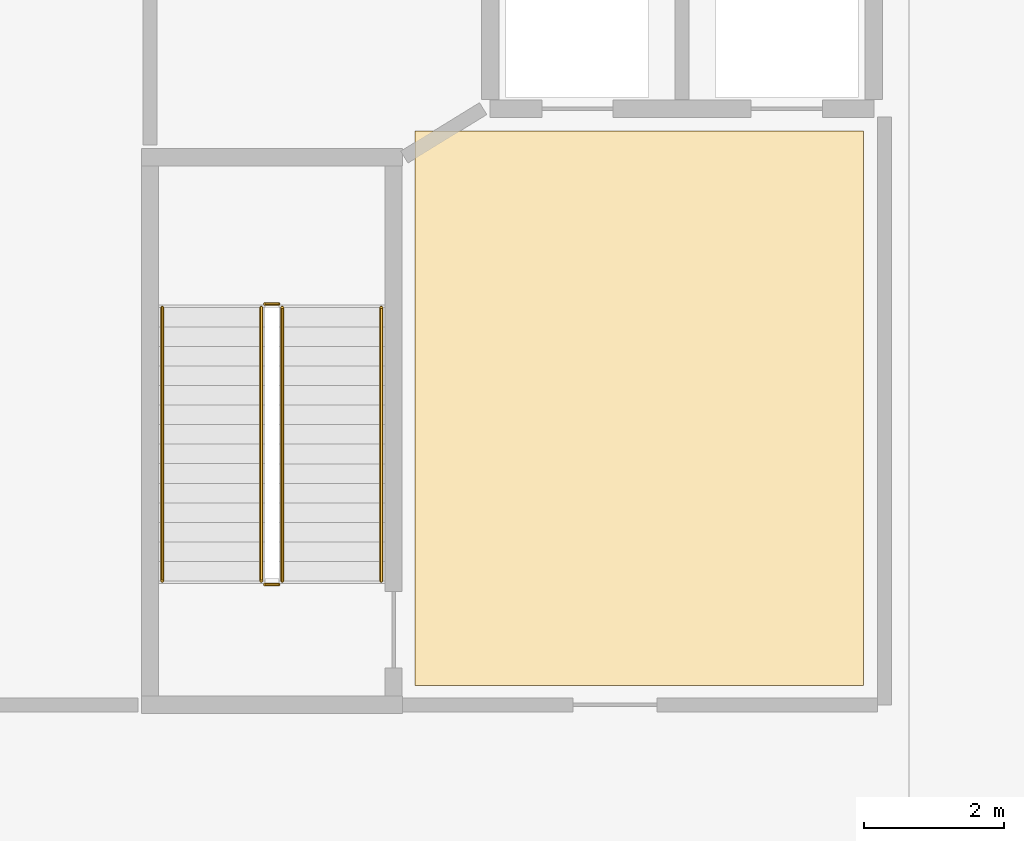
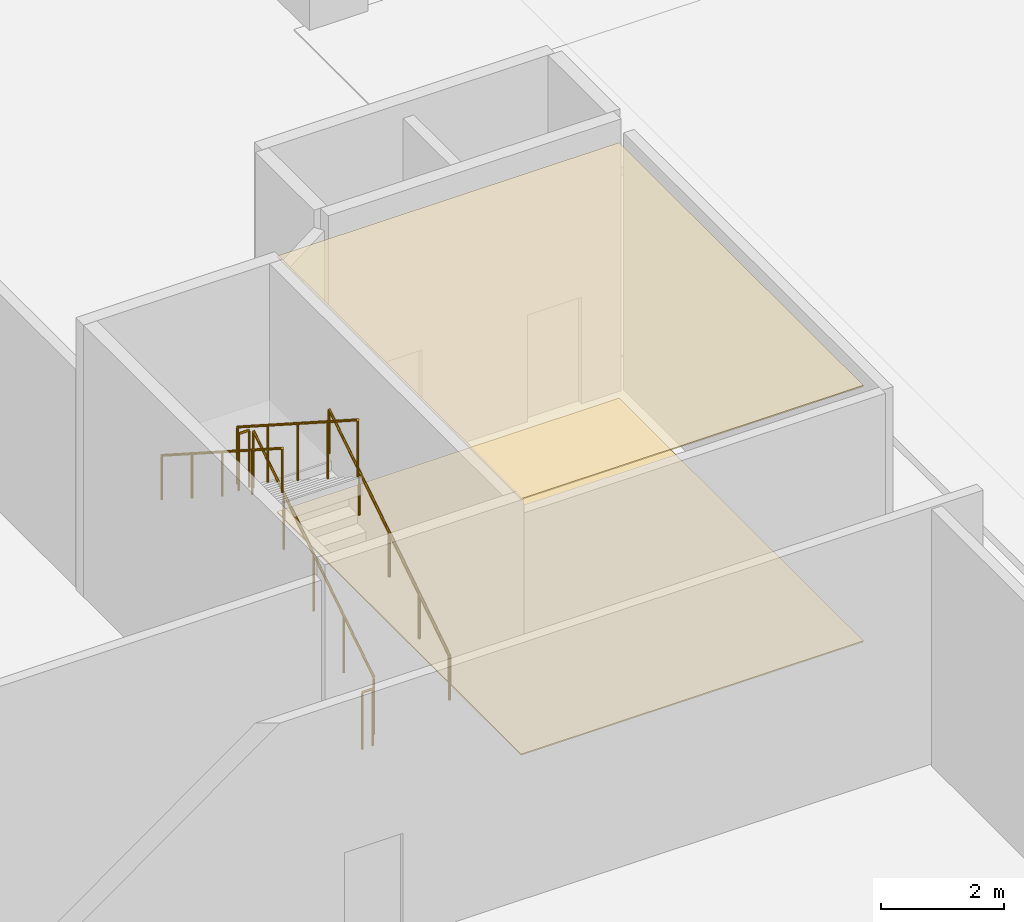
# One storey, part 38 of 46: 6 railings, 2 coverings.
"""IFC4 building model written with IfcOpenShell, lengths in metres."""

import ifcopenshell
import ifcopenshell.guid

model = None  # the IFC model being written
_history = None  # IfcOwnerHistory: only IFC2X3 demands one
_inside = {}  # id of a spatial element -> (the spatial element, [elements in it])
_under = {}  # id of a project, library or spatial element -> (it, [spatial elements below it])
_declared = {}  # id of a project -> (the project, [libraries it declares])
_typed = {}  # id of a type object -> (the type object, [elements of that type])
_made_of = {}  # id of a material, layer set ... -> (it, [elements and type objects made of it])


def new_model(schema):
    """Start an empty IFC model of exactly this schema.

    Asked for "IFC4X3", IfcOpenShell would pick the latest addendum, in which some entities
    have other attributes; the version numbers below select the first issue.
    IFC2X3 requires an IfcOwnerHistory on every rooted entity: one is made here for all.
    """
    global model, _history
    if schema == "IFC4X3":
        model = ifcopenshell.file(schema_version=(4, 3, 0, 0))
    else:
        model = ifcopenshell.file(schema=schema)
    _inside.clear()
    _under.clear()
    _declared.clear()
    _typed.clear()
    _made_of.clear()
    _history = None
    if model.schema == "IFC2X3":
        org = make("IfcOrganization", Name="unknown")
        user = make(
            "IfcPersonAndOrganization",
            ThePerson=make("IfcPerson", FamilyName="unknown"),
            TheOrganization=org,
        )
        app = make(
            "IfcApplication",
            ApplicationDeveloper=org,
            Version="unknown",
            ApplicationFullName="unknown",
            ApplicationIdentifier="unknown",
        )
        _history = make(
            "IfcOwnerHistory",
            OwningUser=user,
            OwningApplication=app,
            ChangeAction="ADDED",
            CreationDate=0,
        )
    return model


def make(cls, **values):
    """One entity of the class cls with the attributes given. An attribute that is None is left unset."""
    return model.create_entity(
        cls, **{name: value for name, value in values.items() if value is not None}
    )


def rooted(cls, **values):
    """An entity with a GlobalId (a new one), such as an element, a storey or a relation."""
    return make(cls, GlobalId=ifcopenshell.guid.new(), OwnerHistory=_history, **values)


def si_unit(unit_type, name, prefix=None):
    """IfcSIUnit, for example si_unit("LENGTHUNIT", "METRE", prefix="MILLI")."""
    return make("IfcSIUnit", UnitType=unit_type, Prefix=prefix, Name=name)


def assignment(units):
    """IfcUnitAssignment: the units of a project."""
    return None if units is None else make("IfcUnitAssignment", Units=units)


def point(xyz):
    """IfcCartesianPoint."""
    return None if xyz is None else make("IfcCartesianPoint", Coordinates=xyz)


def direction(xyz):
    """IfcDirection."""
    return None if xyz is None else make("IfcDirection", DirectionRatios=xyz)


def frame(location, z_axis=None, x_axis=None):
    """IfcAxis2Placement3D, a coordinate frame: its origin and axes. An axis left out is left unset."""
    return make(
        "IfcAxis2Placement3D",
        Location=point(location),
        Axis=direction(z_axis),
        RefDirection=direction(x_axis),
    )


def frame_2d(location, x_axis=None):
    """IfcAxis2Placement2D, a coordinate frame in the plane: its origin and x axis."""
    return make(
        "IfcAxis2Placement2D", Location=point(location), RefDirection=direction(x_axis)
    )


def origin():
    """The frame at (0, 0, 0) with its axes left unset."""
    return frame((0.0, 0.0, 0.0))


def origin_2d():
    """The frame at (0, 0) in the plane with its x axis left unset."""
    return frame_2d((0.0, 0.0))


def place(relative_to, where):
    """IfcLocalPlacement: puts the frame where relative to a parent placement (None: the world)."""
    return make(
        "IfcLocalPlacement", PlacementRelTo=relative_to, RelativePlacement=where
    )


def context(
    kind, dimensions, precision=None, world=None, true_north=None, identifier=None
):
    """IfcGeometricRepresentationContext, for example the 3D "Model" context."""
    return make(
        "IfcGeometricRepresentationContext",
        ContextIdentifier=identifier,
        ContextType=kind,
        CoordinateSpaceDimension=dimensions,
        Precision=precision,
        WorldCoordinateSystem=world,
        TrueNorth=true_north,
    )


def subcontext(parent, identifier, kind, view, scale=None):
    """IfcGeometricRepresentationSubContext, for example "Body" below "Model"."""
    return make(
        "IfcGeometricRepresentationSubContext",
        ContextIdentifier=identifier,
        ContextType=kind,
        ParentContext=parent,
        TargetScale=scale,
        TargetView=view,
    )


def project(units=None, contexts=None):
    """IfcProject with its units and contexts."""
    return rooted(
        "IfcProject",
        Name="project",
        RepresentationContexts=contexts,
        UnitsInContext=assignment(units),
    )


def spatial(cls, under=None, at=None, **own):
    """A site, building, storey or space (cls), placed at a placement, below another one or the project."""
    s = rooted(cls, ObjectPlacement=at, **own)
    if under is not None:
        _under.setdefault(under.id(), (under, []))[1].append(s)
    return s


def polyline(points):
    """IfcPolyline through the points."""
    return make("IfcPolyline", Points=[point(p) for p in points])


def profile(cls, at=None, kind="AREA", **sizes):
    """A parametric profile (cls). Its sizes go by their IFC names, for example OverallWidth=200.0."""
    return make(cls, ProfileType=kind, Position=at, **sizes)


def circle(**sizes):
    """IfcCircleProfileDef."""
    return profile("IfcCircleProfileDef", **sizes)


def outline(outer, holes=None, kind="AREA"):
    """IfcArbitraryClosedProfileDef: a profile drawn as a closed curve; with holes, ...WithVoids."""
    if holes is None:
        return make("IfcArbitraryClosedProfileDef", ProfileType=kind, OuterCurve=outer)
    return make(
        "IfcArbitraryProfileDefWithVoids",
        ProfileType=kind,
        OuterCurve=outer,
        InnerCurves=holes,
    )


def extrude(swept, where, along, depth):
    """IfcExtrudedAreaSolid: the profile swept, set in the frame where, extruded along a direction by depth."""
    return make(
        "IfcExtrudedAreaSolid",
        SweptArea=swept,
        Position=where,
        ExtrudedDirection=direction(along),
        Depth=depth,
    )


def shape(context_of_items, identifier, shape_type, items):
    """IfcShapeRepresentation: the items that make up one representation, for example the "Body"."""
    return make(
        "IfcShapeRepresentation",
        ContextOfItems=context_of_items,
        RepresentationIdentifier=identifier,
        RepresentationType=shape_type,
        Items=items,
    )


def material(Name=None, Category=None):
    """IfcMaterial."""
    return make("IfcMaterial", Name=Name, Category=Category)


def layer(
    of_material, thickness, ventilated=None, Name=None, Category=None, Priority=None
):
    """IfcMaterialLayer: one layer of a wall or slab, of a material (None: an air gap)."""
    return make(
        "IfcMaterialLayer",
        Material=of_material,
        LayerThickness=thickness,
        IsVentilated=ventilated,
        Name=Name,
        Category=Category,
        Priority=Priority,
    )


def layer_set(layers, Name=None):
    """IfcMaterialLayerSet."""
    return make("IfcMaterialLayerSet", MaterialLayers=layers, LayerSetName=Name)


def made_of(thing, what):
    """Note that an element or type object is made of a material, layer set ...; save() writes the relation."""
    if what is not None:
        _made_of.setdefault(what.id(), (what, []))[1].append(thing)
    return thing


def type_object(cls, material=None, **own):
    """A type object (cls), such as IfcWallType, which elements share."""
    return made_of(rooted(cls, **own), material)


def element(
    cls,
    number,
    at=None,
    inside=None,
    cuts=None,
    type_object=None,
    material=None,
    context=None,
    identifier="Body",
    shape_type=None,
    held_by="IfcProductDefinitionShape",
    body=None,
    shapes=None,
    **own,
):
    """One element of the class cls, such as IfcWall. Its Tag is "e" and its number.

    at: its placement. inside: the storey or other place that contains it. cuts: it is an
    opening in that element (IfcRelVoidsElement). A single representation is given by context,
    identifier, shape_type and body (its items); several are given by shapes. held_by: the class
    of the entity that holds the representations. save() writes the other relations.
    """
    e = rooted(cls, Tag="e%d" % number, ObjectPlacement=at, **own)
    if body is not None:
        shapes = [shape(context, identifier, shape_type, body)]
    if shapes is not None:
        e.Representation = make(held_by, Representations=shapes)
    if inside is not None:
        _inside.setdefault(inside.id(), (inside, []))[1].append(e)
    if cuts is not None:
        rooted(
            "IfcRelVoidsElement", RelatingBuildingElement=cuts, RelatedOpeningElement=e
        )
    if type_object is not None:
        _typed.setdefault(type_object.id(), (type_object, []))[1].append(e)
    return made_of(e, material)


def aggregate(whole, parts):
    """IfcRelAggregates: a whole, such as a stair, and the parts it consists of."""
    return rooted("IfcRelAggregates", RelatingObject=whole, RelatedObjects=parts)


def save(model, path):
    """Write the relations noted so far, then the file.

    IfcRelAggregates (storeys below a building ...), IfcRelContainedInSpatialStructure (elements
    in a storey), IfcRelDefinesByType, IfcRelAssociatesMaterial and IfcRelDeclares: one each for
    every whole, place, type object, material and project.
    """
    for whole, parts in _under.values():
        aggregate(whole, parts)
    for where, things in _inside.values():
        rooted(
            "IfcRelContainedInSpatialStructure",
            RelatedElements=things,
            RelatingStructure=where,
        )
    for kind, things in _typed.values():
        rooted("IfcRelDefinesByType", RelatedObjects=things, RelatingType=kind)
    for what, things in _made_of.values():
        rooted("IfcRelAssociatesMaterial", RelatedObjects=things, RelatingMaterial=what)
    for by, libraries in _declared.values():
        rooted("IfcRelDeclares", RelatingContext=by, RelatedDefinitions=libraries)
    model.write(path)


model = new_model("IFC4")

# Units and contexts
model_context = context("Model", 3, precision=1e-05, world=origin(), true_north=direction((0.0, 1.0)))
body_context = subcontext(model_context, "Body", "Model", "MODEL_VIEW")
ifc_project = project(units=[si_unit("LENGTHUNIT", "METRE"), si_unit("AREAUNIT", "SQUARE_METRE"), si_unit("VOLUMEUNIT", "CUBIC_METRE"), si_unit("PLANEANGLEUNIT", "RADIAN"), si_unit("MASSUNIT", "GRAM", prefix="KILO")], contexts=[model_context])

# Site, building, storey
site_placement = place(None, origin())
site = spatial("IfcSite", under=ifc_project, at=site_placement, CompositionType="ELEMENT")
building_placement = place(site_placement, origin())
building = spatial("IfcBuilding", under=site, at=building_placement, Name="Korimba Cascade Residences", CompositionType="ELEMENT")
storey_placement = place(building_placement, origin())
storey = spatial("IfcBuildingStorey", under=building, at=storey_placement, Name="L00", CompositionType="ELEMENT", Elevation=0.0)

# Coverings
ifc_material_1 = material(Name="Perforated Acoustic Gypsum Ceiling", Category="gypsum")
ifc_layer_1 = layer(ifc_material_1, 0.02490234375)
ifc_layer_set_1 = layer_set([ifc_layer_1], Name="Perforated Acoustic Gypsum Ceiling")
covering_type_1 = type_object("IfcCoveringType", Name="COV-CLG-AC", PredefinedType="CEILING", material=ifc_layer_set_1)
covering_1_placement = place(storey_placement, frame((0.0, 0.0, 5.074951171875)))
element("IfcCovering", 1, at=covering_1_placement, inside=storey, type_object=covering_type_1, Name="L00 Suspended Acoustic Ceiling L00-PLW", PredefinedType="CEILING", context=body_context, shape_type="SweptSolid", body=[
    extrude(outline(polyline([(60.169921875, 35.14990234375), (66.60009765625, 35.14990234375), (66.60009765625, 43.10009765625), (60.169921875, 43.10009765625), (60.169921875, 35.14990234375)])), origin(), (0.0, 0.0, 1.0), 0.025146484375),
])
ifc_material_2 = material(Name="Honed Travertine Stone Flooring", Category="masonry")
ifc_layer_2 = layer(ifc_material_2, 0.02490234375)
ifc_layer_set_2 = layer_set([ifc_layer_2], Name="Honed Travertine Stone Flooring")
covering_type_2 = type_object("IfcCoveringType", Name="COV-FLR-STN", PredefinedType="FLOORING", material=ifc_layer_set_2)
covering_2_placement = place(storey_placement, origin())
element("IfcCovering", 2, at=covering_2_placement, inside=storey, type_object=covering_type_2, Name="L00 Honed Travertine Stone Flooring L00-PLW", PredefinedType="FLOORING", context=body_context, shape_type="SweptSolid", body=[
    extrude(outline(polyline([(60.169921875, 35.14990234375), (66.60009765625, 35.14990234375), (66.60009765625, 43.10009765625), (60.169921875, 43.10009765625), (60.169921875, 35.14990234375)])), origin(), (0.0, 0.0, 1.0), 0.02490234375),
])

# Railings
ifc_material_3 = material(Name="Painted Steel Stairwell Guardrail", Category="steel")
railing_type_1 = type_object("IfcRailingType", Name="RLG-ST-GD1150", PredefinedType="GUARDRAIL", material=ifc_material_3)
railing_1_placement = place(storey_placement, frame((58.27001953125, 36.64990234375, 0.179931640625)))
element("IfcRailing", 3, at=railing_1_placement, inside=storey, type_object=railing_type_1, Name="L00 ST-P1 stair guard 1", PredefinedType="GUARDRAIL", context=body_context, shape_type="SweptSolid", body=[
    extrude(circle(Radius=0.02392578125, at=origin_2d()), frame((0.0, 0.0, 1.1259765625), z_axis=(0.0, 0.841186985886, 0.540744352514), x_axis=(-1.0, 0.0, 0.0)), (0.0, 0.0, 1.0), 4.660400390625),
    extrude(circle(Radius=0.02099609375, at=origin_2d()), origin(), (0.0, 0.0, 1.0), 1.101806640625),
    extrude(circle(Radius=0.02099609375, at=origin_2d()), frame((0.0, 0.97998046875, 0.6298828125)), (0.0, 0.0, 1.0), 1.101806640625),
    extrude(circle(Radius=0.02099609375, at=origin_2d()), frame((0.0, 1.9599609375, 1.260009765625)), (0.0, 0.0, 1.0), 1.101806640625),
    extrude(circle(Radius=0.02099609375, at=origin_2d()), frame((0.0, 2.940185546875, 1.89013671875)), (0.0, 0.0, 1.0), 1.101806640625),
    extrude(circle(Radius=0.02099609375, at=origin_2d()), frame((0.0, 3.920166015625, 2.52001953125)), (0.0, 0.0, 1.0), 1.101806640625),
])
railing_2_placement = place(storey_placement, frame((58.219970703125, 40.6201171875, 2.699951171875)))
element("IfcRailing", 4, at=railing_2_placement, inside=storey, type_object=railing_type_1, Name="L00 ST-P1 stair guard 2", PredefinedType="GUARDRAIL", context=body_context, shape_type="SweptSolid", body=[
    extrude(circle(Radius=0.02392578125, at=origin_2d()), frame((0.0, 0.0, 1.1259765625), z_axis=(-1.0, 0.0, 0.0), x_axis=(0.0, -1.0, 0.0)), (0.0, 0.0, 1.0), 0.199951171875),
    extrude(circle(Radius=0.02099609375, at=origin_2d()), origin(), (0.0, 0.0, 1.0), 1.101806640625),
    extrude(circle(Radius=0.02099609375, at=origin_2d()), frame((-0.199951171875, 0.0, 0.0)), (0.0, 0.0, 1.0), 1.101806640625),
])
railing_3_placement = place(storey_placement, frame((57.969970703125, 40.570068359375, 2.8798828125)))
element("IfcRailing", 5, at=railing_3_placement, inside=storey, type_object=railing_type_1, Name="L00 ST-P1 stair guard 3", PredefinedType="GUARDRAIL", context=body_context, shape_type="SweptSolid", body=[
    extrude(circle(Radius=0.02392578125, at=origin_2d()), frame((0.0, 0.0, 1.1259765625), z_axis=(0.0, -0.841186985886, 0.540744352514), x_axis=(1.0, 0.0, 0.0)), (0.0, 0.0, 1.0), 4.660400390625),
    extrude(circle(Radius=0.02099609375, at=origin_2d()), origin(), (0.0, 0.0, 1.0), 1.101806640625),
    extrude(circle(Radius=0.02099609375, at=origin_2d()), frame((0.0, -0.97998046875, 0.6298828125)), (0.0, 0.0, 1.0), 1.101806640625),
    extrude(circle(Radius=0.02099609375, at=origin_2d()), frame((0.0, -1.9599609375, 1.260009765625)), (0.0, 0.0, 1.0), 1.101806640625),
    extrude(circle(Radius=0.02099609375, at=origin_2d()), frame((0.0, -2.940185546875, 1.89013671875)), (0.0, 0.0, 1.0), 1.101806640625),
    extrude(circle(Radius=0.02099609375, at=origin_2d()), frame((0.0, -3.920166015625, 2.52001953125)), (0.0, 0.0, 1.0), 1.101806640625),
])
railing_4_placement = place(storey_placement, frame((58.219970703125, 36.60009765625, 0.0)))
element("IfcRailing", 6, at=railing_4_placement, inside=storey, type_object=railing_type_1, Name="L00 ST-P1 stair guard 4", PredefinedType="GUARDRAIL", context=body_context, shape_type="SweptSolid", body=[
    extrude(circle(Radius=0.02392578125, at=origin_2d()), frame((0.0, 0.0, 1.1259765625), z_axis=(-1.0, 0.0, 0.0), x_axis=(0.0, -1.0, 0.0)), (0.0, 0.0, 1.0), 0.199951171875),
    extrude(circle(Radius=0.02099609375, at=origin_2d()), origin(), (0.0, 0.0, 1.0), 1.101806640625),
    extrude(circle(Radius=0.02099609375, at=origin_2d()), frame((-0.199951171875, 0.0, 0.0)), (0.0, 0.0, 1.0), 1.101806640625),
])
ifc_material_4 = material(Name="Brushed Stainless Steel Handrail", Category="steel")
railing_type_2 = type_object("IfcRailingType", Name="RLG-ST-HR900", PredefinedType="HANDRAIL", material=ifc_material_4)
railing_5_placement = place(storey_placement, frame((59.68994140625, 36.64990234375, 0.36376953125)))
element("IfcRailing", 7, at=railing_5_placement, inside=storey, type_object=railing_type_2, Name="L00 ST-P1 stair handrail 1", PredefinedType="HANDRAIL", context=body_context, shape_type="SweptSolid", body=[
    extrude(circle(Radius=0.02392578125, at=origin_2d()), frame((0.0, 0.0, 0.8759765625), z_axis=(0.0, 0.841186985886, 0.540744352514), x_axis=(-1.0, 0.0, 0.0)), (0.0, 0.0, 1.0), 4.660400390625),
    extrude(circle(Radius=0.02099609375, at=origin_2d()), origin(), (0.0, 0.0, 1.0), 0.851806640625),
    extrude(circle(Radius=0.02099609375, at=origin_2d()), frame((0.0, 0.97998046875, 0.6298828125)), (0.0, 0.0, 1.0), 0.851806640625),
    extrude(circle(Radius=0.02099609375, at=origin_2d()), frame((0.0, 1.9599609375, 1.260009765625)), (0.0, 0.0, 1.0), 0.851806640625),
    extrude(circle(Radius=0.02099609375, at=origin_2d()), frame((0.0, 2.940185546875, 1.89013671875)), (0.0, 0.0, 1.0), 0.851806640625),
    extrude(circle(Radius=0.02099609375, at=origin_2d()), frame((0.0, 3.920166015625, 2.52001953125)), (0.0, 0.0, 1.0), 0.851806640625),
])
railing_6_placement = place(storey_placement, frame((56.550048828125, 40.570068359375, 3.063720703125)))
element("IfcRailing", 8, at=railing_6_placement, inside=storey, type_object=railing_type_2, Name="L00 ST-P1 stair handrail 2", PredefinedType="HANDRAIL", context=body_context, shape_type="SweptSolid", body=[
    extrude(circle(Radius=0.02392578125, at=origin_2d()), frame((0.0, 0.0, 0.8759765625), z_axis=(0.0, -0.841186985886, 0.540744352514), x_axis=(1.0, 0.0, 0.0)), (0.0, 0.0, 1.0), 4.660400390625),
    extrude(circle(Radius=0.02099609375, at=origin_2d()), origin(), (0.0, 0.0, 1.0), 0.851806640625),
    extrude(circle(Radius=0.02099609375, at=origin_2d()), frame((0.0, -0.97998046875, 0.6298828125)), (0.0, 0.0, 1.0), 0.851806640625),
    extrude(circle(Radius=0.02099609375, at=origin_2d()), frame((0.0, -1.9599609375, 1.260009765625)), (0.0, 0.0, 1.0), 0.851806640625),
    extrude(circle(Radius=0.02099609375, at=origin_2d()), frame((0.0, -2.940185546875, 1.89013671875)), (0.0, 0.0, 1.0), 0.851806640625),
    extrude(circle(Radius=0.02099609375, at=origin_2d()), frame((0.0, -3.920166015625, 2.52001953125)), (0.0, 0.0, 1.0), 0.851806640625),
])

save(model, "model.ifc")
